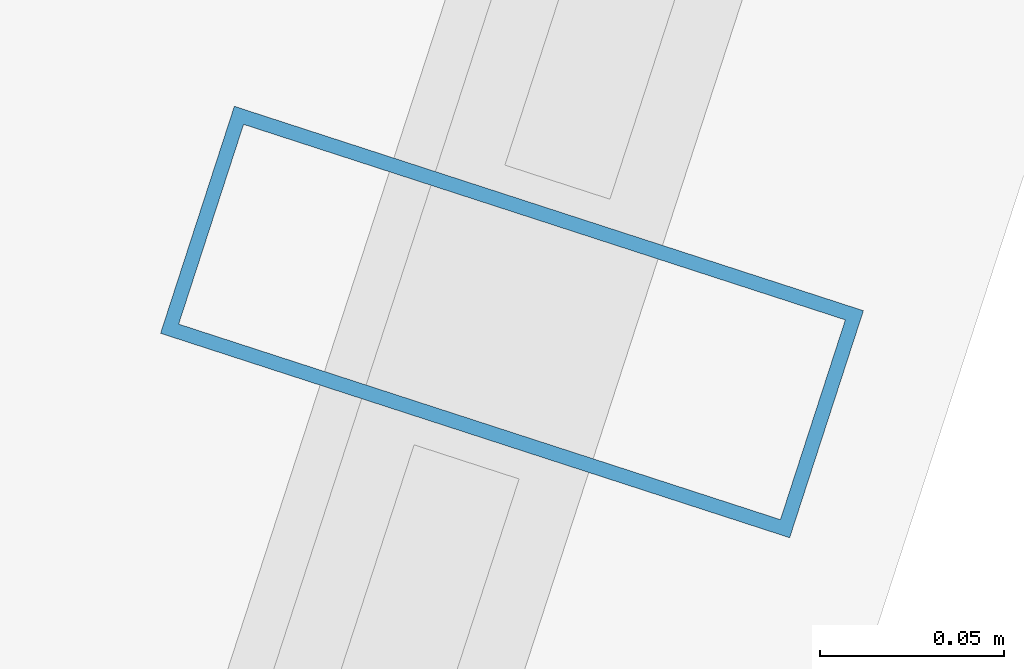
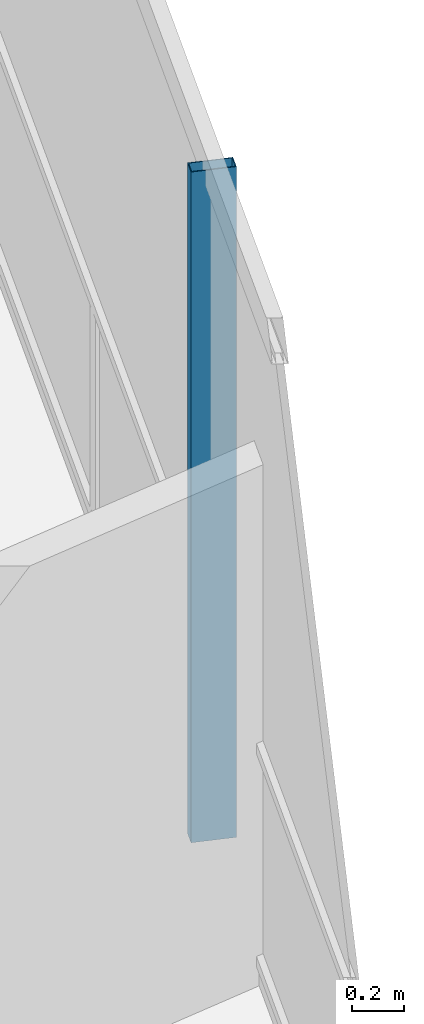
# One storey, part 14 of 27: 1 member, 1 element without a shape of its own.
"""IFC4 building model written with IfcOpenShell, lengths in metres."""

from ifc_helpers import new_model, si_unit, direction, frame, origin, origin_2d, place, context, subcontext, project, spatial, hollow_rectangle, extrude, material, layer, layer_set, material_profile, profile_set, type_object, element, aggregate, save


model = new_model("IFC4")

# Units and contexts
model_context = context("Model", 3, precision=1e-05, world=origin(), true_north=direction((0.0, 1.0)))
body_context = subcontext(model_context, "Body", "Model", "MODEL_VIEW")
ifc_project = project(units=[si_unit("LENGTHUNIT", "METRE"), si_unit("AREAUNIT", "SQUARE_METRE"), si_unit("VOLUMEUNIT", "CUBIC_METRE"), si_unit("PLANEANGLEUNIT", "RADIAN"), si_unit("MASSUNIT", "GRAM", prefix="KILO")], contexts=[model_context])

# Site, building, storey
site_placement = place(None, origin())
site = spatial("IfcSite", under=ifc_project, at=site_placement, CompositionType="ELEMENT")
building_placement = place(site_placement, origin())
building = spatial("IfcBuilding", under=site, at=building_placement, Name="Qarnah Convention Tower", CompositionType="ELEMENT")
storey_placement = place(building_placement, frame((0.0, 0.0, 110.85009765625)))
storey = spatial("IfcBuildingStorey", under=building, at=storey_placement, Name="L29", CompositionType="ELEMENT", Elevation=110.85009765625)

# Curtain wall, member
ifc_material_1 = material(Name="Tempered Low-E dark glass", Category="glass")
ifc_layer = layer(ifc_material_1, 0.169921875)
ifc_layer_set = layer_set([ifc_layer], Name="Tempered Low-E dark glass")
curtain_wall_type = type_object("IfcCurtainWallType", Name="CWS-02", PredefinedType="NOTDEFINED", material=ifc_layer_set)
curtain_wall_placement = place(storey_placement, origin())
curtain_wall = element("IfcCurtainWall", 1, at=curtain_wall_placement, inside=storey, type_object=curtain_wall_type, Name="L29 unitised curtain wall CW-L29-F2", PredefinedType="NOTDEFINED")
ifc_material_2 = material(Name="Black anodised aluminium", Category="aluminium")
ifc_material_profile = material_profile(ifc_material_2, hollow_rectangle(XDim=0.06494140625, YDim=0.179931640625, WallThickness=0.00390625, at=origin_2d()), Name="MUL-65X180")
ifc_profile_set = profile_set([ifc_material_profile], Name="Black anodised aluminium")
member_type = type_object("IfcMemberType", Name="MUL-T2", PredefinedType="MULLION", material=ifc_profile_set)
member_placement = place(storey_placement, frame((57.720947265625, 30.0087890625, 0.0), z_axis=(0.0, 0.0, 1.0), x_axis=(-0.309011433682, -0.951058323056, 0.0)))
member = element("IfcMember", 2, at=member_placement, type_object=member_type, Name="CW-L29-F2 mullion 2", PredefinedType="MULLION", context=body_context, shape_type="SweptSolid", body=[
    extrude(hollow_rectangle(XDim=0.06494140625, YDim=0.179931640625, WallThickness=0.00390625, at=origin_2d()), origin(), (0.0, 0.0, 1.0), 3.169921875),
])
aggregate(curtain_wall, [member])

save(model, "model.ifc")
